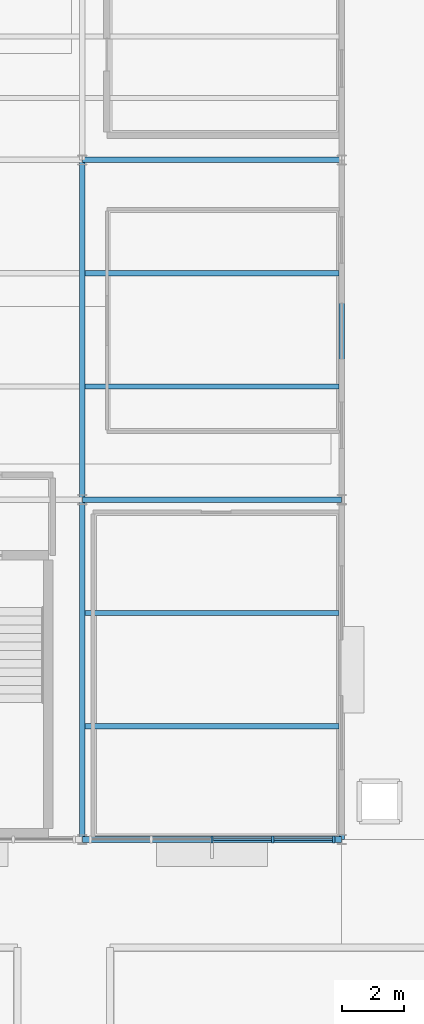
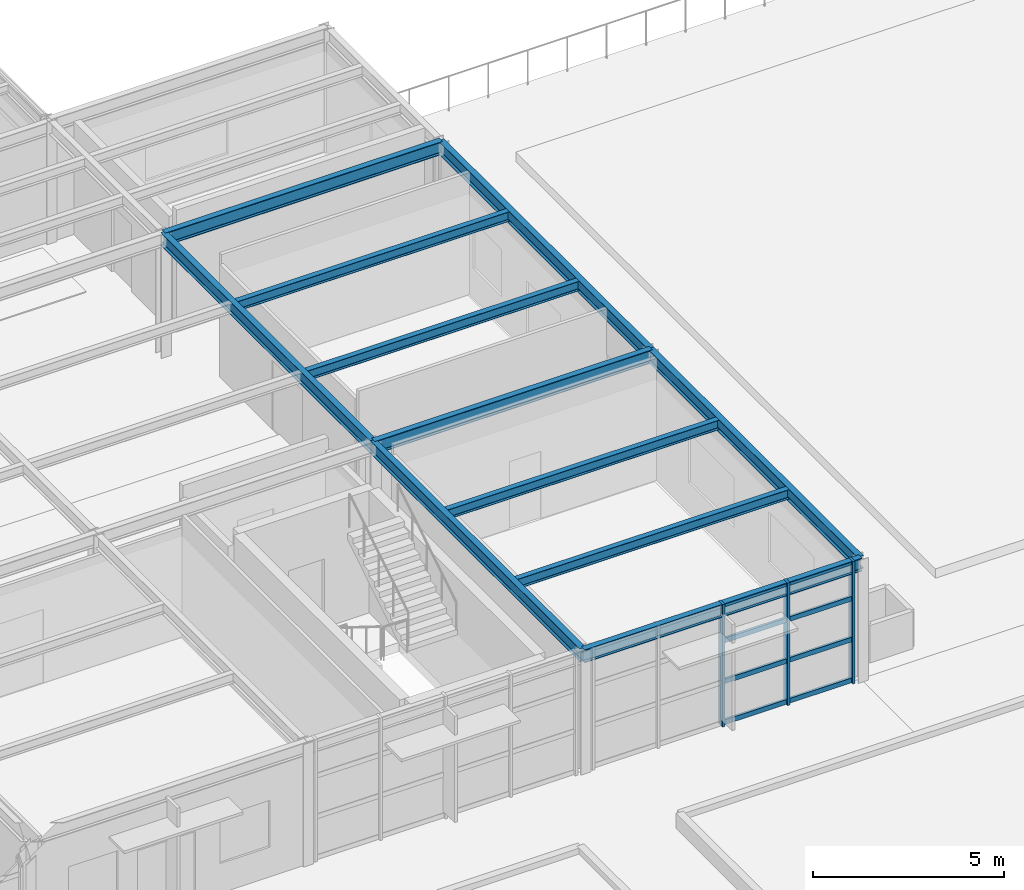
# One storey, part 26 of 49: 11 beams, 11 members, 1 element without a shape of its own.
"""IFC4 building model written with IfcOpenShell, lengths in metres."""

from ifc_helpers import new_model, si_unit, direction, frame, origin, origin_2d, place, context, subcontext, project, spatial, rectangle, i_section, extrude, material, layer, layer_set, material_profile, profile_set, type_object, element, aggregate, save


model = new_model("IFC4")

# Units and contexts
model_context = context("Model", 3, precision=1e-05, world=origin(), true_north=direction((0.0, 1.0)))
body_context = subcontext(model_context, "Body", "Model", "MODEL_VIEW")
ifc_project = project(units=[si_unit("LENGTHUNIT", "METRE"), si_unit("AREAUNIT", "SQUARE_METRE"), si_unit("VOLUMEUNIT", "CUBIC_METRE"), si_unit("PLANEANGLEUNIT", "RADIAN"), si_unit("MASSUNIT", "GRAM", prefix="KILO")], contexts=[model_context])

# Site, building, storey
site_placement = place(None, origin())
site = spatial("IfcSite", under=ifc_project, at=site_placement, CompositionType="ELEMENT")
building_placement = place(site_placement, origin())
building = spatial("IfcBuilding", under=site, at=building_placement, Name="Sitalva Quay Ferry Terminal", CompositionType="ELEMENT")
storey_placement = place(building_placement, frame((0.0, 0.0, 10.199951171875)))
storey = spatial("IfcBuildingStorey", under=building, at=storey_placement, Name="L03", CompositionType="ELEMENT", Elevation=10.199951171875)

# Beams
ifc_material_1 = material(Name="Structural Steel S355JR", Category="steel")
ifc_material_profile_1 = material_profile(ifc_material_1, i_section(OverallWidth=0.178955078125, OverallDepth=0.409912109375, WebThickness=0.0087890625, FlangeThickness=0.014404296875, FilletRadius=0.012939453125, at=origin_2d()), Name="W410x67")
ifc_profile_set_1 = profile_set([ifc_material_profile_1], Name="Structural Steel S355JR")
beam_type_1 = type_object("IfcBeamType", Name="Beam_W410x67", PredefinedType="BEAM", material=ifc_profile_set_1)
for number, where, z_axis, x_axis, name in (
    (1, (117.60009765625, 78.0, 3.715087890625), (0.0, 1.0, 0.0), (-1.0, 0.0, 0.0), "L03 Primary Y girder 1240"),
    (2, (117.60009765625, 89.0, 3.715087890625), (0.0, 1.0, 0.0), (-1.0, 0.0, 0.0), "L03 Primary Y girder 1241"),
    (3, (126.0, 78.0, 3.715087890625), (0.0, 1.0, 0.0), (-1.0, 0.0, 0.0), "L03 Primary Y girder 1243"),
    (4, (126.0, 89.0, 3.715087890625), (0.0, 1.0, 0.0), (-1.0, 0.0, 0.0), "L03 Primary Y girder 1244"),
):
    element("IfcBeam", number, at=place(storey_placement, frame(where, z_axis=z_axis, x_axis=x_axis)), inside=storey, type_object=beam_type_1, Name=name, PredefinedType="BEAM", context=body_context, shape_type="SweptSolid", body=[
        extrude(i_section(OverallWidth=0.178955078125, OverallDepth=0.409912109375, WebThickness=0.0087890625, FlangeThickness=0.014404296875, FilletRadius=0.012939453125, at=origin_2d()), origin(), (0.0, 0.0, 1.0), 11.0),
    ])
ifc_material_2 = material(Name="Structural Steel S355JR", Category="steel")
ifc_material_profile_2 = material_profile(ifc_material_2, i_section(OverallWidth=0.180908203125, OverallDepth=0.4169921875, WebThickness=0.010986328125, FlangeThickness=0.018310546875, FilletRadius=0.012939453125, at=origin_2d()), Name="W410x85")
ifc_profile_set_2 = profile_set([ifc_material_profile_2], Name="Structural Steel S355JR")
beam_type_2 = type_object("IfcBeamType", Name="Beam_W410x85", PredefinedType="BEAM", material=ifc_profile_set_2)
for number, where, z_axis, x_axis, name in (
    (5, (117.60009765625, 78.0, 3.711669921875), (1.0, 0.0, 0.0), (0.0, 1.0, 0.0), "L03 Primary X girder 1206"),
    (6, (117.60009765625, 89.0, 3.711669921875), (1.0, 0.0, 0.0), (0.0, 1.0, 0.0), "L03 Primary X girder 1212"),
    (7, (117.60009765625, 100.0, 3.711669921875), (1.0, 0.0, 0.0), (0.0, 1.0, 0.0), "L03 Primary X girder 1218"),
):
    element("IfcBeam", number, at=place(storey_placement, frame(where, z_axis=z_axis, x_axis=x_axis)), inside=storey, type_object=beam_type_2, Name=name, PredefinedType="BEAM", context=body_context, shape_type="SweptSolid", body=[
        extrude(i_section(OverallWidth=0.180908203125, OverallDepth=0.4169921875, WebThickness=0.010986328125, FlangeThickness=0.018310546875, FilletRadius=0.012939453125, at=origin_2d()), origin(), (0.0, 0.0, 1.0), 8.39990234375),
    ])
ifc_material_3 = material(Name="Structural Steel S355JR", Category="steel")
ifc_material_profile_3 = material_profile(ifc_material_3, i_section(OverallWidth=0.166015625, OverallDepth=0.31298828125, WebThickness=0.006591796875, FlangeThickness=0.01123046875, FilletRadius=0.010986328125, at=origin_2d()), Name="W310x45")
ifc_profile_set_3 = profile_set([ifc_material_profile_3], Name="Structural Steel S355JR")
beam_type_3 = type_object("IfcBeamType", Name="Joist_W310x45", PredefinedType="JOIST", material=ifc_profile_set_3)
for number, where, z_axis, x_axis, name in (
    (8, (117.689453125, 81.666748046875, 3.763427734375), (1.0, 0.0, 0.0), (0.0, 1.0, 0.0), "L03 Secondary joist 1248"),
    (9, (117.689453125, 85.333251953125, 3.763427734375), (1.0, 0.0, 0.0), (0.0, 1.0, 0.0), "L03 Secondary joist 1251"),
    (10, (117.689453125, 92.666748046875, 3.763427734375), (1.0, 0.0, 0.0), (0.0, 1.0, 0.0), "L03 Secondary joist 1257"),
    (11, (117.689453125, 96.333251953125, 3.763427734375), (1.0, 0.0, 0.0), (0.0, 1.0, 0.0), "L03 Secondary joist 1263"),
):
    element("IfcBeam", number, at=place(storey_placement, frame(where, z_axis=z_axis, x_axis=x_axis)), inside=storey, type_object=beam_type_3, Name=name, PredefinedType="JOIST", context=body_context, shape_type="SweptSolid", body=[
        extrude(i_section(OverallWidth=0.166015625, OverallDepth=0.31298828125, WebThickness=0.006591796875, FlangeThickness=0.01123046875, FilletRadius=0.010986328125, at=origin_2d()), origin(), (0.0, 0.0, 1.0), 8.220947265625),
    ])

# Curtain wall, members
ifc_material_4 = material(Name="Anodised Aluminium & Low-E Glazing", Category="aluminium")
ifc_layer = layer(ifc_material_4, 0.159912109375)
ifc_layer_set = layer_set([ifc_layer], Name="Anodised Aluminium & Low-E Glazing")
curtain_wall_type = type_object("IfcCurtainWallType", Name="CW_Office_Unitised", PredefinedType="USERDEFINED", material=ifc_layer_set)
curtain_wall_placement = place(storey_placement, origin())
curtain_wall = element("IfcCurtainWall", 12, at=curtain_wall_placement, inside=storey, type_object=curtain_wall_type, Name="L03 maritime bridge south glazing (CW-L03-130)", ObjectType="CURTAIN_WALL", PredefinedType="USERDEFINED")
ifc_material_5 = material(Name="Anodised Aluminium 6063-T6", Category="aluminium")
ifc_material_profile_4 = material_profile(ifc_material_5, rectangle(XDim=0.074951171875, YDim=0.219970703125, at=origin_2d()), Name="ALU75x220")
ifc_profile_set_4 = profile_set([ifc_material_profile_4], Name="Anodised Aluminium 6063-T6")
member_type_1 = type_object("IfcMemberType", Name="Mullion_Alu_75x160", PredefinedType="MULLION", material=ifc_profile_set_4)
member_1_placement = place(storey_placement, frame((121.800048828125, 78.0, 0.0), z_axis=(0.0, 0.0, 1.0), x_axis=(1.0, 0.0, 0.0)))
member_1 = element("IfcMember", 13, at=member_1_placement, type_object=member_type_1, Name="CW-L03-130-M2", PredefinedType="MULLION", context=body_context, shape_type="SweptSolid", body=[
    extrude(rectangle(XDim=0.074951171875, YDim=0.219970703125, at=origin_2d()), origin(), (0.0, 0.0, 1.0), 3.920166015625),
])
member_2_placement = place(storey_placement, frame((123.77001953125, 78.0, 0.0), z_axis=(0.0, 0.0, 1.0), x_axis=(1.0, 0.0, 0.0)))
member_2 = element("IfcMember", 14, at=member_2_placement, type_object=member_type_1, Name="CW-L03-130-M3", PredefinedType="MULLION", context=body_context, shape_type="SweptSolid", body=[
    extrude(rectangle(XDim=0.074951171875, YDim=0.219970703125, at=origin_2d()), origin(), (0.0, 0.0, 1.0), 3.920166015625),
])
member_3_placement = place(storey_placement, frame((125.739990234375, 78.0, 0.0), z_axis=(0.0, 0.0, 1.0), x_axis=(1.0, 0.0, 0.0)))
member_3 = element("IfcMember", 15, at=member_3_placement, type_object=member_type_1, Name="CW-L03-130-M4", PredefinedType="MULLION", context=body_context, shape_type="SweptSolid", body=[
    extrude(rectangle(XDim=0.074951171875, YDim=0.219970703125, at=origin_2d()), origin(), (0.0, 0.0, 1.0), 3.920166015625),
])
ifc_material_6 = material(Name="Anodised Aluminium 6063-T6", Category="aluminium")
ifc_material_profile_5 = material_profile(ifc_material_6, rectangle(XDim=0.074951171875, YDim=0.14990234375, at=origin_2d()), Name="ALU75x150")
ifc_profile_set_5 = profile_set([ifc_material_profile_5], Name="Anodised Aluminium 6063-T6")
member_type_2 = type_object("IfcMemberType", Name="Transom_Alu_75x140", PredefinedType="MULLION", material=ifc_profile_set_5)
member_4_placement = place(storey_placement, frame((121.83740234375, 78.0, 0.074951171875), z_axis=(1.0, 0.0, 0.0), x_axis=(0.0, 1.0, 0.0)))
member_4 = element("IfcMember", 16, at=member_4_placement, type_object=member_type_2, Name="CW-L03-130-T2-0", ObjectType="TRANSOM", PredefinedType="USERDEFINED", context=body_context, shape_type="SweptSolid", body=[
    extrude(rectangle(XDim=0.074951171875, YDim=0.14990234375, at=origin_2d()), origin(), (0.0, 0.0, 1.0), 1.89501953125),
])
member_5_placement = place(storey_placement, frame((121.83740234375, 78.0, 1.3818359375), z_axis=(1.0, 0.0, 0.0), x_axis=(0.0, 1.0, 0.0)))
member_5 = element("IfcMember", 17, at=member_5_placement, type_object=member_type_2, Name="CW-L03-130-T2-1", ObjectType="TRANSOM", PredefinedType="USERDEFINED", context=body_context, shape_type="SweptSolid", body=[
    extrude(rectangle(XDim=0.074951171875, YDim=0.14990234375, at=origin_2d()), origin(), (0.0, 0.0, 1.0), 1.89501953125),
])
member_6_placement = place(storey_placement, frame((121.83740234375, 78.0, 2.6884765625), z_axis=(1.0, 0.0, 0.0), x_axis=(0.0, 1.0, 0.0)))
member_6 = element("IfcMember", 18, at=member_6_placement, type_object=member_type_2, Name="CW-L03-130-T2-2", ObjectType="TRANSOM", PredefinedType="USERDEFINED", context=body_context, shape_type="SweptSolid", body=[
    extrude(rectangle(XDim=0.074951171875, YDim=0.14990234375, at=origin_2d()), origin(), (0.0, 0.0, 1.0), 1.89501953125),
])
member_7_placement = place(storey_placement, frame((121.83740234375, 78.0, 3.844970703125), z_axis=(1.0, 0.0, 0.0), x_axis=(0.0, 1.0, 0.0)))
member_7 = element("IfcMember", 19, at=member_7_placement, type_object=member_type_2, Name="CW-L03-130-T2-3", ObjectType="TRANSOM", PredefinedType="USERDEFINED", context=body_context, shape_type="SweptSolid", body=[
    extrude(rectangle(XDim=0.074951171875, YDim=0.14990234375, at=origin_2d()), origin(), (0.0, 0.0, 1.0), 1.89501953125),
])
member_8_placement = place(storey_placement, frame((123.8076171875, 78.0, 0.074951171875), z_axis=(1.0, 0.0, 0.0), x_axis=(0.0, 1.0, 0.0)))
member_8 = element("IfcMember", 20, at=member_8_placement, type_object=member_type_2, Name="CW-L03-130-T3-0", ObjectType="TRANSOM", PredefinedType="USERDEFINED", context=body_context, shape_type="SweptSolid", body=[
    extrude(rectangle(XDim=0.074951171875, YDim=0.14990234375, at=origin_2d()), origin(), (0.0, 0.0, 1.0), 1.894775390625),
])
member_9_placement = place(storey_placement, frame((123.8076171875, 78.0, 1.3818359375), z_axis=(1.0, 0.0, 0.0), x_axis=(0.0, 1.0, 0.0)))
member_9 = element("IfcMember", 21, at=member_9_placement, type_object=member_type_2, Name="CW-L03-130-T3-1", ObjectType="TRANSOM", PredefinedType="USERDEFINED", context=body_context, shape_type="SweptSolid", body=[
    extrude(rectangle(XDim=0.074951171875, YDim=0.14990234375, at=origin_2d()), origin(), (0.0, 0.0, 1.0), 1.894775390625),
])
member_10_placement = place(storey_placement, frame((123.8076171875, 78.0, 2.6884765625), z_axis=(1.0, 0.0, 0.0), x_axis=(0.0, 1.0, 0.0)))
member_10 = element("IfcMember", 22, at=member_10_placement, type_object=member_type_2, Name="CW-L03-130-T3-2", ObjectType="TRANSOM", PredefinedType="USERDEFINED", context=body_context, shape_type="SweptSolid", body=[
    extrude(rectangle(XDim=0.074951171875, YDim=0.14990234375, at=origin_2d()), origin(), (0.0, 0.0, 1.0), 1.894775390625),
])
member_11_placement = place(storey_placement, frame((123.8076171875, 78.0, 3.844970703125), z_axis=(1.0, 0.0, 0.0), x_axis=(0.0, 1.0, 0.0)))
member_11 = element("IfcMember", 23, at=member_11_placement, type_object=member_type_2, Name="CW-L03-130-T3-3", ObjectType="TRANSOM", PredefinedType="USERDEFINED", context=body_context, shape_type="SweptSolid", body=[
    extrude(rectangle(XDim=0.074951171875, YDim=0.14990234375, at=origin_2d()), origin(), (0.0, 0.0, 1.0), 1.894775390625),
])
aggregate(curtain_wall, [member_1, member_2, member_3, member_4, member_5, member_6, member_7, member_8, member_9, member_10, member_11])

save(model, "model.ifc")
